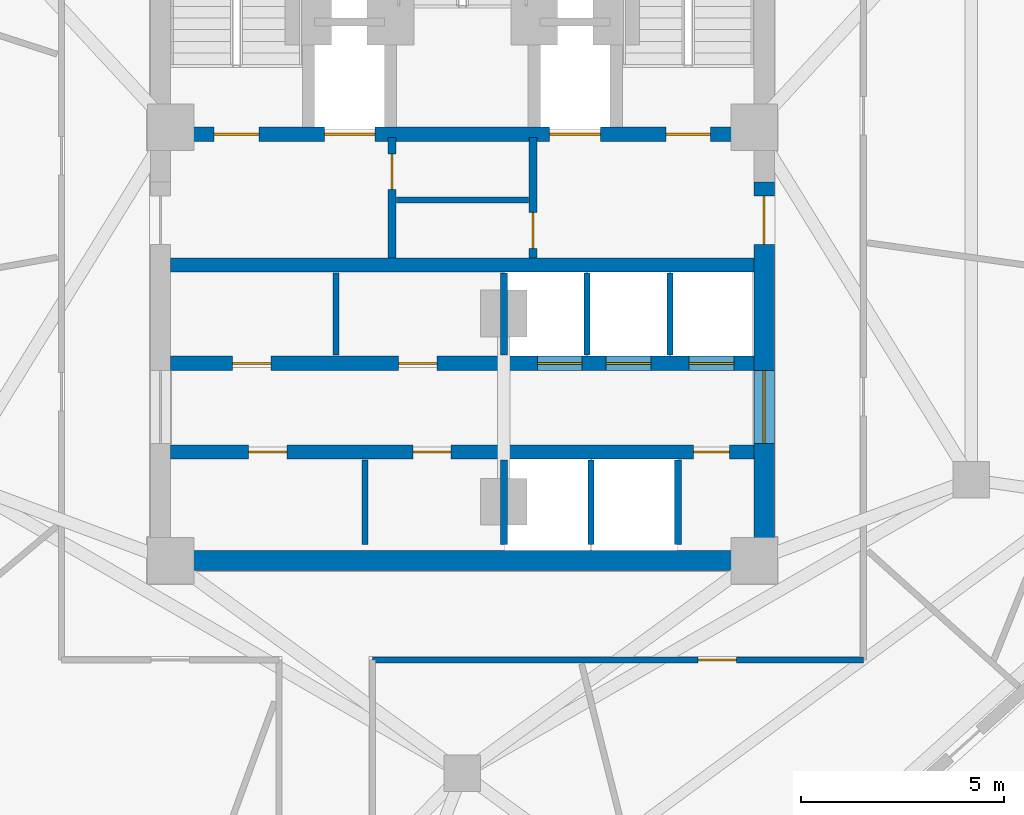
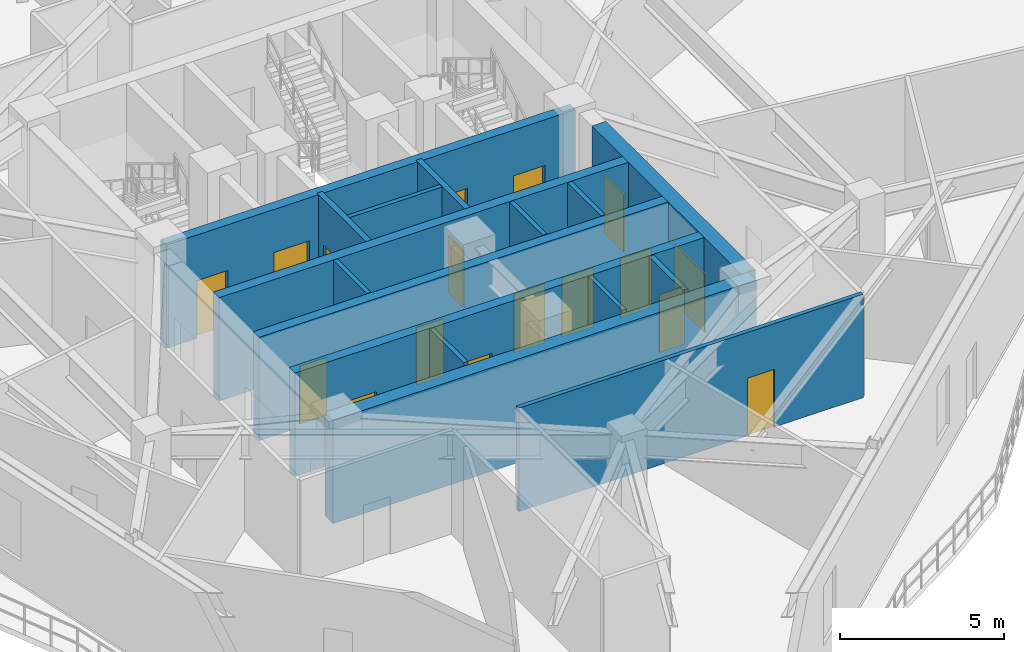
# One storey, part 6 of 12: 18 walls, 17 doors, 17 openings.
"""IFC4 building model written with IfcOpenShell, lengths in metres."""

import ifcopenshell
import ifcopenshell.guid

model = None  # the IFC model being written
_history = None  # IfcOwnerHistory: only IFC2X3 demands one
_inside = {}  # id of a spatial element -> (the spatial element, [elements in it])
_under = {}  # id of a project, library or spatial element -> (it, [spatial elements below it])
_declared = {}  # id of a project -> (the project, [libraries it declares])
_typed = {}  # id of a type object -> (the type object, [elements of that type])
_made_of = {}  # id of a material, layer set ... -> (it, [elements and type objects made of it])


def new_model(schema):
    """Start an empty IFC model of exactly this schema.

    Asked for "IFC4X3", IfcOpenShell would pick the latest addendum, in which some entities
    have other attributes; the version numbers below select the first issue.
    IFC2X3 requires an IfcOwnerHistory on every rooted entity: one is made here for all.
    """
    global model, _history
    if schema == "IFC4X3":
        model = ifcopenshell.file(schema_version=(4, 3, 0, 0))
    else:
        model = ifcopenshell.file(schema=schema)
    _inside.clear()
    _under.clear()
    _declared.clear()
    _typed.clear()
    _made_of.clear()
    _history = None
    if model.schema == "IFC2X3":
        org = make("IfcOrganization", Name="unknown")
        user = make(
            "IfcPersonAndOrganization",
            ThePerson=make("IfcPerson", FamilyName="unknown"),
            TheOrganization=org,
        )
        app = make(
            "IfcApplication",
            ApplicationDeveloper=org,
            Version="unknown",
            ApplicationFullName="unknown",
            ApplicationIdentifier="unknown",
        )
        _history = make(
            "IfcOwnerHistory",
            OwningUser=user,
            OwningApplication=app,
            ChangeAction="ADDED",
            CreationDate=0,
        )
    return model


def make(cls, **values):
    """One entity of the class cls with the attributes given. An attribute that is None is left unset."""
    return model.create_entity(
        cls, **{name: value for name, value in values.items() if value is not None}
    )


def rooted(cls, **values):
    """An entity with a GlobalId (a new one), such as an element, a storey or a relation."""
    return make(cls, GlobalId=ifcopenshell.guid.new(), OwnerHistory=_history, **values)


def si_unit(unit_type, name, prefix=None):
    """IfcSIUnit, for example si_unit("LENGTHUNIT", "METRE", prefix="MILLI")."""
    return make("IfcSIUnit", UnitType=unit_type, Prefix=prefix, Name=name)


def assignment(units):
    """IfcUnitAssignment: the units of a project."""
    return None if units is None else make("IfcUnitAssignment", Units=units)


def point(xyz):
    """IfcCartesianPoint."""
    return None if xyz is None else make("IfcCartesianPoint", Coordinates=xyz)


def direction(xyz):
    """IfcDirection."""
    return None if xyz is None else make("IfcDirection", DirectionRatios=xyz)


def frame(location, z_axis=None, x_axis=None):
    """IfcAxis2Placement3D, a coordinate frame: its origin and axes. An axis left out is left unset."""
    return make(
        "IfcAxis2Placement3D",
        Location=point(location),
        Axis=direction(z_axis),
        RefDirection=direction(x_axis),
    )


def frame_2d(location, x_axis=None):
    """IfcAxis2Placement2D, a coordinate frame in the plane: its origin and x axis."""
    return make(
        "IfcAxis2Placement2D", Location=point(location), RefDirection=direction(x_axis)
    )


def origin():
    """The frame at (0, 0, 0) with its axes left unset."""
    return frame((0.0, 0.0, 0.0))


def place(relative_to, where):
    """IfcLocalPlacement: puts the frame where relative to a parent placement (None: the world)."""
    return make(
        "IfcLocalPlacement", PlacementRelTo=relative_to, RelativePlacement=where
    )


def context(
    kind, dimensions, precision=None, world=None, true_north=None, identifier=None
):
    """IfcGeometricRepresentationContext, for example the 3D "Model" context."""
    return make(
        "IfcGeometricRepresentationContext",
        ContextIdentifier=identifier,
        ContextType=kind,
        CoordinateSpaceDimension=dimensions,
        Precision=precision,
        WorldCoordinateSystem=world,
        TrueNorth=true_north,
    )


def subcontext(parent, identifier, kind, view, scale=None):
    """IfcGeometricRepresentationSubContext, for example "Body" below "Model"."""
    return make(
        "IfcGeometricRepresentationSubContext",
        ContextIdentifier=identifier,
        ContextType=kind,
        ParentContext=parent,
        TargetScale=scale,
        TargetView=view,
    )


def project(units=None, contexts=None):
    """IfcProject with its units and contexts."""
    return rooted(
        "IfcProject",
        Name="project",
        RepresentationContexts=contexts,
        UnitsInContext=assignment(units),
    )


def spatial(cls, under=None, at=None, **own):
    """A site, building, storey or space (cls), placed at a placement, below another one or the project."""
    s = rooted(cls, ObjectPlacement=at, **own)
    if under is not None:
        _under.setdefault(under.id(), (under, []))[1].append(s)
    return s


def profile(cls, at=None, kind="AREA", **sizes):
    """A parametric profile (cls). Its sizes go by their IFC names, for example OverallWidth=200.0."""
    return make(cls, ProfileType=kind, Position=at, **sizes)


def rectangle(**sizes):
    """IfcRectangleProfileDef."""
    return profile("IfcRectangleProfileDef", **sizes)


def extrude(swept, where, along, depth):
    """IfcExtrudedAreaSolid: the profile swept, set in the frame where, extruded along a direction by depth."""
    return make(
        "IfcExtrudedAreaSolid",
        SweptArea=swept,
        Position=where,
        ExtrudedDirection=direction(along),
        Depth=depth,
    )


def shape(context_of_items, identifier, shape_type, items):
    """IfcShapeRepresentation: the items that make up one representation, for example the "Body"."""
    return make(
        "IfcShapeRepresentation",
        ContextOfItems=context_of_items,
        RepresentationIdentifier=identifier,
        RepresentationType=shape_type,
        Items=items,
    )


def material(Name=None, Category=None):
    """IfcMaterial."""
    return make("IfcMaterial", Name=Name, Category=Category)


def layer(
    of_material, thickness, ventilated=None, Name=None, Category=None, Priority=None
):
    """IfcMaterialLayer: one layer of a wall or slab, of a material (None: an air gap)."""
    return make(
        "IfcMaterialLayer",
        Material=of_material,
        LayerThickness=thickness,
        IsVentilated=ventilated,
        Name=Name,
        Category=Category,
        Priority=Priority,
    )


def layer_set(layers, Name=None):
    """IfcMaterialLayerSet."""
    return make("IfcMaterialLayerSet", MaterialLayers=layers, LayerSetName=Name)


def made_of(thing, what):
    """Note that an element or type object is made of a material, layer set ...; save() writes the relation."""
    if what is not None:
        _made_of.setdefault(what.id(), (what, []))[1].append(thing)
    return thing


def type_object(cls, material=None, **own):
    """A type object (cls), such as IfcWallType, which elements share."""
    return made_of(rooted(cls, **own), material)


def element(
    cls,
    number,
    at=None,
    inside=None,
    cuts=None,
    type_object=None,
    material=None,
    context=None,
    identifier="Body",
    shape_type=None,
    held_by="IfcProductDefinitionShape",
    body=None,
    shapes=None,
    **own,
):
    """One element of the class cls, such as IfcWall. Its Tag is "e" and its number.

    at: its placement. inside: the storey or other place that contains it. cuts: it is an
    opening in that element (IfcRelVoidsElement). A single representation is given by context,
    identifier, shape_type and body (its items); several are given by shapes. held_by: the class
    of the entity that holds the representations. save() writes the other relations.
    """
    e = rooted(cls, Tag="e%d" % number, ObjectPlacement=at, **own)
    if body is not None:
        shapes = [shape(context, identifier, shape_type, body)]
    if shapes is not None:
        e.Representation = make(held_by, Representations=shapes)
    if inside is not None:
        _inside.setdefault(inside.id(), (inside, []))[1].append(e)
    if cuts is not None:
        rooted(
            "IfcRelVoidsElement", RelatingBuildingElement=cuts, RelatedOpeningElement=e
        )
    if type_object is not None:
        _typed.setdefault(type_object.id(), (type_object, []))[1].append(e)
    return made_of(e, material)


def fill(opening, filler):
    """IfcRelFillsElement: the door or window that sits in an opening."""
    return rooted(
        "IfcRelFillsElement",
        RelatingOpeningElement=opening,
        RelatedBuildingElement=filler,
    )


def aggregate(whole, parts):
    """IfcRelAggregates: a whole, such as a stair, and the parts it consists of."""
    return rooted("IfcRelAggregates", RelatingObject=whole, RelatedObjects=parts)


def save(model, path):
    """Write the relations noted so far, then the file.

    IfcRelAggregates (storeys below a building ...), IfcRelContainedInSpatialStructure (elements
    in a storey), IfcRelDefinesByType, IfcRelAssociatesMaterial and IfcRelDeclares: one each for
    every whole, place, type object, material and project.
    """
    for whole, parts in _under.values():
        aggregate(whole, parts)
    for where, things in _inside.values():
        rooted(
            "IfcRelContainedInSpatialStructure",
            RelatedElements=things,
            RelatingStructure=where,
        )
    for kind, things in _typed.values():
        rooted("IfcRelDefinesByType", RelatedObjects=things, RelatingType=kind)
    for what, things in _made_of.values():
        rooted("IfcRelAssociatesMaterial", RelatedObjects=things, RelatingMaterial=what)
    for by, libraries in _declared.values():
        rooted("IfcRelDeclares", RelatingContext=by, RelatedDefinitions=libraries)
    model.write(path)


model = new_model("IFC4")

# Units and contexts
model_context = context("Model", 3, precision=1e-05, world=origin(), true_north=direction((0.0, 1.0)))
body_context = subcontext(model_context, "Body", "Model", "MODEL_VIEW")
ifc_project = project(units=[si_unit("LENGTHUNIT", "METRE"), si_unit("AREAUNIT", "SQUARE_METRE"), si_unit("VOLUMEUNIT", "CUBIC_METRE"), si_unit("PLANEANGLEUNIT", "RADIAN"), si_unit("MASSUNIT", "GRAM", prefix="KILO")], contexts=[model_context])

# Site, building, storey
site_placement = place(None, origin())
site = spatial("IfcSite", under=ifc_project, at=site_placement, CompositionType="ELEMENT")
building_placement = place(site_placement, origin())
building = spatial("IfcBuilding", under=site, at=building_placement, Name="Apsidion Concourse Tower", CompositionType="ELEMENT")
storey_placement = place(building_placement, frame((0.0, 0.0, 232.199951171875)))
storey = spatial("IfcBuildingStorey", under=building, at=storey_placement, Name="L54", CompositionType="ELEMENT", Elevation=232.199951171875)

# Walls
ifc_material_1 = material(Name="Gypsum plasterboard partition")
ifc_layer_1 = layer(ifc_material_1, 0.14990234375)
ifc_layer_set_1 = layer_set([ifc_layer_1], Name="Gypsum plasterboard partition")
wall_type_1 = type_object("IfcWallType", Name="WL-INT-PAR-150", PredefinedType="PARTITIONING", material=ifc_layer_set_1)
for number, where, z_axis, x_axis, name in (
    (1, (-3.1201171875, -4.179931640625, 0.0), (0.0, 0.0, 1.0), (0.0, 1.0, 0.0), "L54 Interior Partition WL-L54-B1RV1"),
    (2, (3.074951171875, -4.179931640625, 0.0), (0.0, 0.0, 1.0), (0.0, 1.0, 0.0), "L54 Interior Partition WL-L54-B3DIV-1"),
    (3, (5.125, -4.179931640625, 0.0), (0.0, 0.0, 1.0), (0.0, 1.0, 0.0), "L54 Interior Partition WL-L54-B3DIV-2"),
):
    element("IfcWall", number, at=place(storey_placement, frame(where, z_axis=z_axis, x_axis=x_axis)), inside=storey, type_object=wall_type_1, Name=name, PredefinedType="PARTITIONING", context=body_context, shape_type="SweptSolid", body=[
        extrude(rectangle(XDim=2.030029296875, YDim=0.14990234375, at=frame_2d((1.01513671875, 0.0))), origin(), (0.0, 0.0, 1.0), 3.85009765625),
    ])
for number, where, z_axis, x_axis, name in (
    (4, (-2.39990234375, -8.85009765625, 0.0), (0.0, 0.0, 1.0), (0.0, 1.0, 0.0), "L54 Interior Partition WL-L54-B2RV1"),
    (5, (3.175048828125, -8.85009765625, 0.0), (0.0, 0.0, 1.0), (0.0, 1.0, 0.0), "L54 Interior Partition WL-L54-SHDIV-1"),
):
    element("IfcWall", number, at=place(storey_placement, frame(where, z_axis=z_axis, x_axis=x_axis)), inside=storey, type_object=wall_type_1, Name=name, PredefinedType="PARTITIONING", context=body_context, shape_type="SweptSolid", body=[
        extrude(rectangle(XDim=2.080078125, YDim=0.14990234375, at=frame_2d((1.0400390625, 0.0))), origin(), (0.0, 0.0, 1.0), 3.85009765625),
    ])
wall_1_placement = place(storey_placement, frame((-1.6298828125, -0.35009765625, 0.0), z_axis=(0.0, 0.0, 1.0), x_axis=(1.0, 0.0, 0.0)))
element("IfcWall", 6, at=wall_1_placement, inside=storey, type_object=wall_type_1, Name="L54 Interior Partition WL-L54-K2H", PredefinedType="PARTITIONING", context=body_context, shape_type="SweptSolid", body=[
    extrude(rectangle(XDim=3.259765625, YDim=0.14990234375, at=frame_2d((1.6298828125, 0.0))), origin(), (0.0, 0.0, 1.0), 3.85009765625),
])

# Wall, opening, door
wall_2_placement = place(storey_placement, frame((9.89990234375, -11.699951171875, 0.0), z_axis=(0.0, 0.0, 1.0), x_axis=(-1.0, 0.0, 0.0)))
wall_2 = element("IfcWall", 7, at=wall_2_placement, inside=storey, type_object=wall_type_1, Name="L54 Interior Partition WL-L54-CORR-09", PredefinedType="PARTITIONING", context=body_context, shape_type="SweptSolid", body=[
    extrude(rectangle(XDim=12.119873046875, YDim=0.14990234375, at=frame_2d((6.06005859375, 0.0))), origin(), (0.0, 0.0, 1.0), 3.85009765625),
])
opening_1_placement = place(wall_2_placement, frame((3.133056640625, 0.0, 0.0)))
opening_1 = element("IfcOpeningElement", 8, at=opening_1_placement, cuts=wall_2, Name="Opening D-01R", PredefinedType="OPENING", context=body_context, shape_type="SweptSolid", body=[
    extrude(rectangle(XDim=0.949951171875, YDim=2.14990234375, at=frame_2d((0.47509765625, 1.074951171875))), frame((0.0, 0.0849609375, 0.0), z_axis=(0.0, -1.0, 0.0), x_axis=(1.0, 0.0, 0.0)), (0.0, 0.0, 1.0), 0.169921875),
])
ifc_material_2 = material(Name="Brushed stainless steel 316", Category="steel")
door_type_1 = type_object("IfcDoorType", Name="DR-INT-D01R", OperationType="SINGLE_SWING_RIGHT", PredefinedType="DOOR", material=ifc_material_2)
door_1_placement = place(opening_1_placement, origin())
door_1 = element("IfcDoor", 9, at=door_1_placement, inside=storey, type_object=door_type_1, Name="L54 Corridor Entry Door 04", OperationType="SINGLE_SWING_RIGHT", OverallHeight=2.14990234375, OverallWidth=0.949951171875, PredefinedType="DOOR", context=body_context, shape_type="SweptSolid", body=[
    extrude(rectangle(XDim=0.949951171875, YDim=2.14990234375, at=frame_2d((0.47509765625, 1.074951171875))), frame((0.0, 0.02490234375, 0.0), z_axis=(0.0, -1.0, 0.0), x_axis=(1.0, 0.0, 0.0)), (0.0, 0.0, 1.0), 0.050048828125),
])
fill(opening_1, door_1)

# Walls
ifc_layer_2 = layer(ifc_material_1, 0.179931640625)
ifc_layer_set_2 = layer_set([ifc_layer_2], Name="Gypsum plasterboard partition")
wall_type_2 = type_object("IfcWallType", Name="WL-INT-PAR-180", PredefinedType="PARTITIONING", material=ifc_layer_set_2)
wall_3_placement = place(storey_placement, frame((1.02490234375, -4.179931640625, 0.0), z_axis=(0.0, 0.0, 1.0), x_axis=(0.0, 1.0, 0.0)))
element("IfcWall", 10, at=wall_3_placement, inside=storey, type_object=wall_type_2, Name="L54 Interior Partition WL-L54-B1END", PredefinedType="PARTITIONING", context=body_context, shape_type="SweptSolid", body=[
    extrude(rectangle(XDim=2.030029296875, YDim=0.179931640625, at=frame_2d((1.01513671875, 0.0))), origin(), (0.0, 0.0, 1.0), 2.89794921875),
])
wall_4_placement = place(storey_placement, frame((1.02490234375, -8.85009765625, 0.0), z_axis=(0.0, 0.0, 1.0), x_axis=(0.0, 1.0, 0.0)))
element("IfcWall", 11, at=wall_4_placement, inside=storey, type_object=wall_type_2, Name="L54 Interior Partition WL-L54-B2END", PredefinedType="PARTITIONING", context=body_context, shape_type="SweptSolid", body=[
    extrude(rectangle(XDim=2.080078125, YDim=0.179931640625, at=frame_2d((1.0400390625, 0.0))), origin(), (0.0, 0.0, 1.0), 2.89794921875),
])
wall_5_placement = place(storey_placement, frame((5.324951171875, -8.85009765625, 0.0), z_axis=(0.0, 0.0, 1.0), x_axis=(0.0, 1.0, 0.0)))
element("IfcWall", 12, at=wall_5_placement, inside=storey, type_object=wall_type_2, Name="L54 Interior Partition WL-L54-SHDIV-2", PredefinedType="PARTITIONING", context=body_context, shape_type="SweptSolid", body=[
    extrude(rectangle(XDim=2.080078125, YDim=0.179931640625, at=frame_2d((1.0400390625, 0.0))), origin(), (0.0, 0.0, 1.0), 3.85009765625),
])

# Wall, opening, door
ifc_layer_3 = layer(ifc_material_1, 0.199951171875)
ifc_layer_set_3 = layer_set([ifc_layer_3], Name="Gypsum plasterboard partition")
wall_type_3 = type_object("IfcWallType", Name="WL-INT-PAR-200", PredefinedType="PARTITIONING", material=ifc_layer_set_3)
wall_6_placement = place(storey_placement, frame((-1.739990234375, -1.780029296875, 0.0), z_axis=(0.0, 0.0, 1.0), x_axis=(0.0, 1.0, 0.0)))
wall_6 = element("IfcWall", 13, at=wall_6_placement, inside=storey, type_object=wall_type_3, Name="L54 Interior Partition WL-L54-FF1-E", PredefinedType="PARTITIONING", context=body_context, shape_type="SweptSolid", body=[
    extrude(rectangle(XDim=2.97998046875, YDim=0.199951171875, at=frame_2d((1.489990234375, 0.0))), origin(), (0.0, 0.0, 1.0), 3.85009765625),
])
opening_2_placement = place(wall_6_placement, frame((1.68994140625, 0.0, 0.0)))
opening_2 = element("IfcOpeningElement", 14, at=opening_2_placement, cuts=wall_6, Name="Opening D-05L", PredefinedType="OPENING", context=body_context, shape_type="SweptSolid", body=[
    extrude(rectangle(XDim=0.8798828125, YDim=2.14990234375, at=frame_2d((0.43994140625, 1.074951171875))), frame((0.0, 0.10986328125, 0.0), z_axis=(0.0, -1.0, 0.0), x_axis=(1.0, 0.0, 0.0)), (0.0, 0.0, 1.0), 0.219970703125),
])
door_type_2 = type_object("IfcDoorType", Name="DR-INT-D05L", OperationType="SINGLE_SWING_LEFT", PredefinedType="DOOR", material=ifc_material_2)
door_2_placement = place(opening_2_placement, origin())
door_2 = element("IfcDoor", 15, at=door_2_placement, inside=storey, type_object=door_type_2, Name="L54 Core Staff WC Door", OperationType="SINGLE_SWING_LEFT", OverallHeight=2.14990234375, OverallWidth=0.8798828125, PredefinedType="DOOR", context=body_context, shape_type="SweptSolid", body=[
    extrude(rectangle(XDim=0.8798828125, YDim=2.14990234375, at=frame_2d((0.43994140625, 1.074951171875))), frame((0.0, 0.02490234375, 0.0), z_axis=(0.0, -1.0, 0.0), x_axis=(1.0, 0.0, 0.0)), (0.0, 0.0, 1.0), 0.050048828125),
])
fill(opening_2, door_2)

wall_7_placement = place(storey_placement, frame((1.739990234375, -1.780029296875, 0.0), z_axis=(0.0, 0.0, 1.0), x_axis=(0.0, 1.0, 0.0)))
wall_7 = element("IfcWall", 16, at=wall_7_placement, inside=storey, type_object=wall_type_3, Name="L54 Interior Partition WL-L54-FF2-W", PredefinedType="PARTITIONING", context=body_context, shape_type="SweptSolid", body=[
    extrude(rectangle(XDim=2.97998046875, YDim=0.199951171875, at=frame_2d((1.489990234375, 0.0))), origin(), (0.0, 0.0, 1.0), 3.85009765625),
])
opening_3_placement = place(wall_7_placement, frame((0.239990234375, 0.0, 0.0)))
opening_3 = element("IfcOpeningElement", 17, at=opening_3_placement, cuts=wall_7, Name="Opening D-05R", PredefinedType="OPENING", context=body_context, shape_type="SweptSolid", body=[
    extrude(rectangle(XDim=0.8798828125, YDim=2.14990234375, at=frame_2d((0.43994140625, 1.074951171875))), frame((0.0, 0.10986328125, 0.0), z_axis=(0.0, -1.0, 0.0), x_axis=(1.0, 0.0, 0.0)), (0.0, 0.0, 1.0), 0.219970703125),
])
door_type_3 = type_object("IfcDoorType", Name="DR-INT-D05R", OperationType="SINGLE_SWING_RIGHT", PredefinedType="DOOR", material=ifc_material_2)
door_3_placement = place(opening_3_placement, origin())
door_3 = element("IfcDoor", 18, at=door_3_placement, inside=storey, type_object=door_type_3, Name="L54 Core Supply Store Door", OperationType="SINGLE_SWING_RIGHT", OverallHeight=2.14990234375, OverallWidth=0.8798828125, PredefinedType="DOOR", context=body_context, shape_type="SweptSolid", body=[
    extrude(rectangle(XDim=0.8798828125, YDim=2.14990234375, at=frame_2d((0.43994140625, 1.074951171875))), frame((0.0, 0.02490234375, 0.0), z_axis=(0.0, -1.0, 0.0), x_axis=(1.0, 0.0, 0.0)), (0.0, 0.0, 1.0), 0.050048828125),
])
fill(opening_3, door_3)

# Wall, openings, doors
ifc_material_3 = material(Name="Concrete C50/60", Category="concrete")
ifc_layer_4 = layer(ifc_material_3, 0.35009765625)
ifc_layer_set_4 = layer_set([ifc_layer_4], Name="Concrete C50/60")
wall_type_4 = type_object("IfcWallType", Name="WL-SH-350", PredefinedType="SHEAR", material=ifc_layer_set_4)
wall_8_placement = place(storey_placement, frame((-7.199951171875, 1.27490234375, 0.0), z_axis=(0.0, 0.0, 1.0), x_axis=(1.0, 0.0, 0.0)))
wall_8 = element("IfcWall", 19, at=wall_8_placement, inside=storey, type_object=wall_type_4, Name="L54 Central Core Shear Wall M1", PredefinedType="SHEAR", context=body_context, shape_type="SweptSolid", body=[
    extrude(rectangle(XDim=14.39990234375, YDim=0.35009765625, at=frame_2d((7.199951171875, 0.0))), origin(), (0.0, 0.0, 1.0), 3.85009765625),
])
opening_4_placement = place(wall_8_placement, frame((3.794921875, 0.0, 0.0)))
opening_4 = element("IfcOpeningElement", 20, at=opening_4_placement, cuts=wall_8, Name="Opening LD-FF", PredefinedType="OPENING", context=body_context, shape_type="SweptSolid", body=[
    extrude(rectangle(XDim=1.25, YDim=2.25, at=frame_2d((0.625, 1.125))), frame((0.0, 0.18505859375, 0.0), z_axis=(0.0, -1.0, 0.0), x_axis=(1.0, 0.0, 0.0)), (0.0, 0.0, 1.0), 0.3701171875),
])
opening_5_placement = place(wall_8_placement, frame((9.35498046875, 0.0, 0.0)))
opening_5 = element("IfcOpeningElement", 21, at=opening_5_placement, cuts=wall_8, Name="Opening LD-FF", PredefinedType="OPENING", context=body_context, shape_type="SweptSolid", body=[
    extrude(rectangle(XDim=1.25, YDim=2.25, at=frame_2d((0.625, 1.125))), frame((0.0, 0.18505859375, 0.0), z_axis=(0.0, -1.0, 0.0), x_axis=(1.0, 0.0, 0.0)), (0.0, 0.0, 1.0), 0.3701171875),
])
opening_6_placement = place(wall_8_placement, frame((1.074951171875, 0.0, 0.0)))
opening_6 = element("IfcOpeningElement", 22, at=opening_6_placement, cuts=wall_8, Name="Opening D-STL", PredefinedType="OPENING", context=body_context, shape_type="SweptSolid", body=[
    extrude(rectangle(XDim=1.10009765625, YDim=2.14990234375, at=frame_2d((0.550048828125, 1.074951171875))), frame((0.0, 0.18505859375, 0.0), z_axis=(0.0, -1.0, 0.0), x_axis=(1.0, 0.0, 0.0)), (0.0, 0.0, 1.0), 0.3701171875),
])
opening_7_placement = place(wall_8_placement, frame((12.22509765625, 0.0, 0.0)))
opening_7 = element("IfcOpeningElement", 23, at=opening_7_placement, cuts=wall_8, Name="Opening D-STR", PredefinedType="OPENING", context=body_context, shape_type="SweptSolid", body=[
    extrude(rectangle(XDim=1.10009765625, YDim=2.14990234375, at=frame_2d((0.550048828125, 1.074951171875))), frame((0.0, 0.18505859375, 0.0), z_axis=(0.0, -1.0, 0.0), x_axis=(1.0, 0.0, 0.0)), (0.0, 0.0, 1.0), 0.3701171875),
])
door_type_4 = type_object("IfcDoorType", Name="DR-INT-ST1L", OperationType="SINGLE_SWING_LEFT", PredefinedType="DOOR", material=ifc_material_2)
door_4_placement = place(opening_6_placement, origin())
door_4 = element("IfcDoor", 24, at=door_4_placement, inside=storey, type_object=door_type_4, Name="L54 Core Exit Stair ST1 Door", OperationType="SINGLE_SWING_LEFT", OverallHeight=2.14990234375, OverallWidth=1.10009765625, PredefinedType="DOOR", context=body_context, shape_type="SweptSolid", body=[
    extrude(rectangle(XDim=1.10009765625, YDim=2.14990234375, at=frame_2d((0.550048828125, 1.074951171875))), frame((0.0, 0.02490234375, 0.0), z_axis=(0.0, -1.0, 0.0), x_axis=(1.0, 0.0, 0.0)), (0.0, 0.0, 1.0), 0.050048828125),
])
fill(opening_6, door_4)
door_type_5 = type_object("IfcDoorType", Name="DR-INT-ST1R", OperationType="SINGLE_SWING_RIGHT", PredefinedType="DOOR", material=ifc_material_2)
door_5_placement = place(opening_7_placement, origin())
door_5 = element("IfcDoor", 25, at=door_5_placement, inside=storey, type_object=door_type_5, Name="L54 Core Exit Stair ST2 Door", OperationType="SINGLE_SWING_RIGHT", OverallHeight=2.14990234375, OverallWidth=1.10009765625, PredefinedType="DOOR", context=body_context, shape_type="SweptSolid", body=[
    extrude(rectangle(XDim=1.10009765625, YDim=2.14990234375, at=frame_2d((0.550048828125, 1.074951171875))), frame((0.0, 0.02490234375, 0.0), z_axis=(0.0, -1.0, 0.0), x_axis=(1.0, 0.0, 0.0)), (0.0, 0.0, 1.0), 0.050048828125),
])
fill(opening_7, door_5)
door_type_6 = type_object("IfcDoorType", Name="DR-LD-FSAE", OperationType="DOUBLE_DOOR_SLIDING", PredefinedType="DOOR", material=ifc_material_2)
door_6_placement = place(opening_4_placement, origin())
door_6 = element("IfcDoor", 26, at=door_6_placement, inside=storey, type_object=door_type_6, Name="L54 Lift Landing Door FF1", OperationType="DOUBLE_DOOR_SLIDING", OverallHeight=2.25, OverallWidth=1.25, PredefinedType="DOOR", context=body_context, shape_type="SweptSolid", body=[
    extrude(rectangle(XDim=1.25, YDim=2.25, at=frame_2d((0.625, 1.125))), frame((0.0, 0.02490234375, 0.0), z_axis=(0.0, -1.0, 0.0), x_axis=(1.0, 0.0, 0.0)), (0.0, 0.0, 1.0), 0.050048828125),
])
fill(opening_4, door_6)
door_7_placement = place(opening_5_placement, origin())
door_7 = element("IfcDoor", 27, at=door_7_placement, inside=storey, type_object=door_type_6, Name="L54 Lift Landing Door FF2", OperationType="DOUBLE_DOOR_SLIDING", OverallHeight=2.25, OverallWidth=1.25, PredefinedType="DOOR", context=body_context, shape_type="SweptSolid", body=[
    extrude(rectangle(XDim=1.25, YDim=2.25, at=frame_2d((0.625, 1.125))), frame((0.0, 0.02490234375, 0.0), z_axis=(0.0, -1.0, 0.0), x_axis=(1.0, 0.0, 0.0)), (0.0, 0.0, 1.0), 0.050048828125),
])
fill(opening_5, door_7)

# Wall
wall_9_placement = place(storey_placement, frame((-7.199951171875, -1.949951171875, 0.0), z_axis=(0.0, 0.0, 1.0), x_axis=(1.0, 0.0, 0.0)))
element("IfcWall", 28, at=wall_9_placement, inside=storey, type_object=wall_type_4, Name="L54 Central Core Shear Wall M2", PredefinedType="SHEAR", context=body_context, shape_type="SweptSolid", body=[
    extrude(rectangle(XDim=14.39990234375, YDim=0.35009765625, at=frame_2d((7.199951171875, 0.0))), origin(), (0.0, 0.0, 1.0), 3.85009765625),
])

# Wall, openings, doors
wall_10_placement = place(storey_placement, frame((-7.199951171875, -4.3798828125, 0.0), z_axis=(0.0, 0.0, 1.0), x_axis=(1.0, 0.0, 0.0)))
wall_10 = element("IfcWall", 29, at=wall_10_placement, inside=storey, type_object=wall_type_4, Name="L54 Central Core Shear Wall LA", PredefinedType="SHEAR", context=body_context, shape_type="SweptSolid", body=[
    extrude(rectangle(XDim=14.39990234375, YDim=0.35009765625, at=frame_2d((7.199951171875, 0.0))), origin(), (0.0, 0.0, 1.0), 3.85009765625),
])
opening_8_placement = place(wall_10_placement, frame((9.050048828125, 0.0, 0.0)))
opening_8 = element("IfcOpeningElement", 30, at=opening_8_placement, cuts=wall_10, Name="Opening LD-P1", PredefinedType="OPENING", context=body_context, shape_type="SweptSolid", body=[
    extrude(rectangle(XDim=1.10009765625, YDim=2.199951171875, at=frame_2d((0.550048828125, 1.10009765625))), frame((0.0, 0.18505859375, 0.0), z_axis=(0.0, -1.0, 0.0), x_axis=(1.0, 0.0, 0.0)), (0.0, 0.0, 1.0), 0.3701171875),
])
opening_9_placement = place(wall_10_placement, frame((10.75, 0.0, 0.0)))
opening_9 = element("IfcOpeningElement", 31, at=opening_9_placement, cuts=wall_10, Name="Opening LD-P1", PredefinedType="OPENING", context=body_context, shape_type="SweptSolid", body=[
    extrude(rectangle(XDim=1.10009765625, YDim=2.199951171875, at=frame_2d((0.550048828125, 1.10009765625))), frame((0.0, 0.18505859375, 0.0), z_axis=(0.0, -1.0, 0.0), x_axis=(1.0, 0.0, 0.0)), (0.0, 0.0, 1.0), 0.3701171875),
])
opening_10_placement = place(wall_10_placement, frame((12.800048828125, 0.0, 0.0)))
opening_10 = element("IfcOpeningElement", 32, at=opening_10_placement, cuts=wall_10, Name="Opening LD-P1", PredefinedType="OPENING", context=body_context, shape_type="SweptSolid", body=[
    extrude(rectangle(XDim=1.10009765625, YDim=2.199951171875, at=frame_2d((0.550048828125, 1.10009765625))), frame((0.0, 0.18505859375, 0.0), z_axis=(0.0, -1.0, 0.0), x_axis=(1.0, 0.0, 0.0)), (0.0, 0.0, 1.0), 0.3701171875),
])
opening_11_placement = place(wall_10_placement, frame((1.52490234375, 0.0, 0.0)))
opening_11 = element("IfcOpeningElement", 33, at=opening_11_placement, cuts=wall_10, Name="Opening D-04L", PredefinedType="OPENING", context=body_context, shape_type="SweptSolid", body=[
    extrude(rectangle(XDim=0.949951171875, YDim=2.14990234375, at=frame_2d((0.47509765625, 1.074951171875))), frame((0.0, 0.18505859375, 0.0), z_axis=(0.0, -1.0, 0.0), x_axis=(1.0, 0.0, 0.0)), (0.0, 0.0, 1.0), 0.3701171875),
])
opening_12_placement = place(wall_10_placement, frame((5.625, 0.0, 0.0)))
opening_12 = element("IfcOpeningElement", 34, at=opening_12_placement, cuts=wall_10, Name="Opening D-04R", PredefinedType="OPENING", context=body_context, shape_type="SweptSolid", body=[
    extrude(rectangle(XDim=0.949951171875, YDim=2.14990234375, at=frame_2d((0.47509765625, 1.074951171875))), frame((0.0, 0.18505859375, 0.0), z_axis=(0.0, -1.0, 0.0), x_axis=(1.0, 0.0, 0.0)), (0.0, 0.0, 1.0), 0.3701171875),
])
door_type_7 = type_object("IfcDoorType", Name="DR-INT-D04L", OperationType="SINGLE_SWING_LEFT", PredefinedType="DOOR", material=ifc_material_2)
door_8_placement = place(opening_11_placement, origin())
door_8 = element("IfcDoor", 35, at=door_8_placement, inside=storey, type_object=door_type_7, Name="L54 Tenant Archive Room West Door", OperationType="SINGLE_SWING_LEFT", OverallHeight=2.14990234375, OverallWidth=0.949951171875, PredefinedType="DOOR", context=body_context, shape_type="SweptSolid", body=[
    extrude(rectangle(XDim=0.949951171875, YDim=2.14990234375, at=frame_2d((0.47509765625, 1.074951171875))), frame((0.0, 0.02490234375, 0.0), z_axis=(0.0, -1.0, 0.0), x_axis=(1.0, 0.0, 0.0)), (0.0, 0.0, 1.0), 0.050048828125),
])
fill(opening_11, door_8)
door_type_8 = type_object("IfcDoorType", Name="DR-INT-D04R", OperationType="SINGLE_SWING_RIGHT", PredefinedType="DOOR", material=ifc_material_2)
door_9_placement = place(opening_12_placement, origin())
door_9 = element("IfcDoor", 36, at=door_9_placement, inside=storey, type_object=door_type_8, Name="L54 Core Print and Copy Room Door", OperationType="SINGLE_SWING_RIGHT", OverallHeight=2.14990234375, OverallWidth=0.949951171875, PredefinedType="DOOR", context=body_context, shape_type="SweptSolid", body=[
    extrude(rectangle(XDim=0.949951171875, YDim=2.14990234375, at=frame_2d((0.47509765625, 1.074951171875))), frame((0.0, 0.02490234375, 0.0), z_axis=(0.0, -1.0, 0.0), x_axis=(1.0, 0.0, 0.0)), (0.0, 0.0, 1.0), 0.050048828125),
])
fill(opening_12, door_9)
door_type_9 = type_object("IfcDoorType", Name="DR-LD-PASS", OperationType="DOUBLE_DOOR_SLIDING", PredefinedType="DOOR", material=ifc_material_2)
door_10_placement = place(opening_8_placement, origin())
door_10 = element("IfcDoor", 37, at=door_10_placement, inside=storey, type_object=door_type_9, Name="L54 Lift Landing Door P9", OperationType="DOUBLE_DOOR_SLIDING", OverallHeight=2.199951171875, OverallWidth=1.10009765625, PredefinedType="DOOR", context=body_context, shape_type="SweptSolid", body=[
    extrude(rectangle(XDim=1.10009765625, YDim=2.199951171875, at=frame_2d((0.550048828125, 1.10009765625))), frame((0.0, 0.02490234375, 0.0), z_axis=(0.0, -1.0, 0.0), x_axis=(1.0, 0.0, 0.0)), (0.0, 0.0, 1.0), 0.050048828125),
])
fill(opening_8, door_10)
door_11_placement = place(opening_9_placement, origin())
door_11 = element("IfcDoor", 38, at=door_11_placement, inside=storey, type_object=door_type_9, Name="L54 Lift Landing Door P10", OperationType="DOUBLE_DOOR_SLIDING", OverallHeight=2.199951171875, OverallWidth=1.10009765625, PredefinedType="DOOR", context=body_context, shape_type="SweptSolid", body=[
    extrude(rectangle(XDim=1.10009765625, YDim=2.199951171875, at=frame_2d((0.550048828125, 1.10009765625))), frame((0.0, 0.02490234375, 0.0), z_axis=(0.0, -1.0, 0.0), x_axis=(1.0, 0.0, 0.0)), (0.0, 0.0, 1.0), 0.050048828125),
])
fill(opening_9, door_11)
door_12_placement = place(opening_10_placement, origin())
door_12 = element("IfcDoor", 39, at=door_12_placement, inside=storey, type_object=door_type_9, Name="L54 Lift Landing Door P11", OperationType="DOUBLE_DOOR_SLIDING", OverallHeight=2.199951171875, OverallWidth=1.10009765625, PredefinedType="DOOR", context=body_context, shape_type="SweptSolid", body=[
    extrude(rectangle(XDim=1.10009765625, YDim=2.199951171875, at=frame_2d((0.550048828125, 1.10009765625))), frame((0.0, 0.02490234375, 0.0), z_axis=(0.0, -1.0, 0.0), x_axis=(1.0, 0.0, 0.0)), (0.0, 0.0, 1.0), 0.050048828125),
])
fill(opening_10, door_12)

wall_11_placement = place(storey_placement, frame((-7.199951171875, -6.570068359375, 0.0), z_axis=(0.0, 0.0, 1.0), x_axis=(1.0, 0.0, 0.0)))
wall_11 = element("IfcWall", 40, at=wall_11_placement, inside=storey, type_object=wall_type_4, Name="L54 Central Core Shear Wall LB", PredefinedType="SHEAR", context=body_context, shape_type="SweptSolid", body=[
    extrude(rectangle(XDim=14.39990234375, YDim=0.35009765625, at=frame_2d((7.199951171875, 0.0))), origin(), (0.0, 0.0, 1.0), 3.85009765625),
])
opening_13_placement = place(wall_11_placement, frame((1.925048828125, 0.0, 0.0)))
opening_13 = element("IfcOpeningElement", 41, at=opening_13_placement, cuts=wall_11, Name="Opening D-04R", PredefinedType="OPENING", context=body_context, shape_type="SweptSolid", body=[
    extrude(rectangle(XDim=0.949951171875, YDim=2.14990234375, at=frame_2d((0.47509765625, 1.074951171875))), frame((0.0, 0.18505859375, 0.0), z_axis=(0.0, -1.0, 0.0), x_axis=(1.0, 0.0, 0.0)), (0.0, 0.0, 1.0), 0.3701171875),
])
opening_14_placement = place(wall_11_placement, frame((5.97509765625, 0.0, 0.0)))
opening_14 = element("IfcOpeningElement", 42, at=opening_14_placement, cuts=wall_11, Name="Opening D-04L", PredefinedType="OPENING", context=body_context, shape_type="SweptSolid", body=[
    extrude(rectangle(XDim=0.949951171875, YDim=2.14990234375, at=frame_2d((0.47509765625, 1.074951171875))), frame((0.0, 0.18505859375, 0.0), z_axis=(0.0, -1.0, 0.0), x_axis=(1.0, 0.0, 0.0)), (0.0, 0.0, 1.0), 0.3701171875),
])
opening_15_placement = place(wall_11_placement, frame((12.909912109375, 0.0, 0.0)))
opening_15 = element("IfcOpeningElement", 43, at=opening_15_placement, cuts=wall_11, Name="Opening D-05L", PredefinedType="OPENING", context=body_context, shape_type="SweptSolid", body=[
    extrude(rectangle(XDim=0.8798828125, YDim=2.14990234375, at=frame_2d((0.43994140625, 1.074951171875))), frame((0.0, 0.18505859375, 0.0), z_axis=(0.0, -1.0, 0.0), x_axis=(1.0, 0.0, 0.0)), (0.0, 0.0, 1.0), 0.3701171875),
])
door_13_placement = place(opening_14_placement, origin())
door_13 = element("IfcDoor", 44, at=door_13_placement, inside=storey, type_object=door_type_7, Name="L54 Executive IT Server Room Door", OperationType="SINGLE_SWING_LEFT", OverallHeight=2.14990234375, OverallWidth=0.949951171875, PredefinedType="DOOR", context=body_context, shape_type="SweptSolid", body=[
    extrude(rectangle(XDim=0.949951171875, YDim=2.14990234375, at=frame_2d((0.47509765625, 1.074951171875))), frame((0.0, 0.02490234375, 0.0), z_axis=(0.0, -1.0, 0.0), x_axis=(1.0, 0.0, 0.0)), (0.0, 0.0, 1.0), 0.050048828125),
])
fill(opening_14, door_13)
door_14_placement = place(opening_13_placement, origin())
door_14 = element("IfcDoor", 45, at=door_14_placement, inside=storey, type_object=door_type_8, Name="L54 Executive Catering Pantry Door", OperationType="SINGLE_SWING_RIGHT", OverallHeight=2.14990234375, OverallWidth=0.949951171875, PredefinedType="DOOR", context=body_context, shape_type="SweptSolid", body=[
    extrude(rectangle(XDim=0.949951171875, YDim=2.14990234375, at=frame_2d((0.47509765625, 1.074951171875))), frame((0.0, 0.02490234375, 0.0), z_axis=(0.0, -1.0, 0.0), x_axis=(1.0, 0.0, 0.0)), (0.0, 0.0, 1.0), 0.050048828125),
])
fill(opening_13, door_14)
door_15_placement = place(opening_15_placement, origin())
door_15 = element("IfcDoor", 46, at=door_15_placement, inside=storey, type_object=door_type_2, Name="L54 Cleaners Store Door", OperationType="SINGLE_SWING_LEFT", OverallHeight=2.14990234375, OverallWidth=0.8798828125, PredefinedType="DOOR", context=body_context, shape_type="SweptSolid", body=[
    extrude(rectangle(XDim=0.8798828125, YDim=2.14990234375, at=frame_2d((0.43994140625, 1.074951171875))), frame((0.0, 0.02490234375, 0.0), z_axis=(0.0, -1.0, 0.0), x_axis=(1.0, 0.0, 0.0)), (0.0, 0.0, 1.0), 0.050048828125),
])
fill(opening_15, door_15)

ifc_layer_5 = layer(ifc_material_3, 0.5)
ifc_layer_set_5 = layer_set([ifc_layer_5], Name="Concrete C50/60")
wall_type_5 = type_object("IfcWallType", Name="WL-SH-500", PredefinedType="SHEAR", material=ifc_layer_set_5)
wall_12_placement = place(storey_placement, frame((7.449951171875, -9.0, 0.0), z_axis=(0.0, 0.0, 1.0), x_axis=(0.0, 1.0, 0.0)))
wall_12 = element("IfcWall", 47, at=wall_12_placement, inside=storey, type_object=wall_type_5, Name="L54 Central Core Shear Wall ES", PredefinedType="SHEAR", context=body_context, shape_type="SweptSolid", body=[
    extrude(rectangle(XDim=9.10009765625, YDim=0.5, at=frame_2d((4.550048828125, 0.0))), origin(), (0.0, 0.0, 1.0), 3.85009765625),
])
opening_16_placement = place(wall_12_placement, frame((2.639892578125, 0.0, 0.0)))
opening_16 = element("IfcOpeningElement", 48, at=opening_16_placement, cuts=wall_12, Name="Opening D-06D", PredefinedType="OPENING", context=body_context, shape_type="SweptSolid", body=[
    extrude(rectangle(XDim=1.800048828125, YDim=2.199951171875, at=frame_2d((0.89990234375, 1.10009765625))), frame((0.0, 0.260009765625, 0.0), z_axis=(0.0, -1.0, 0.0), x_axis=(1.0, 0.0, 0.0)), (0.0, 0.0, 1.0), 0.52001953125),
])
opening_17_placement = place(wall_12_placement, frame((7.550048828125, 0.0, 0.0)))
opening_17 = element("IfcOpeningElement", 49, at=opening_17_placement, cuts=wall_12, Name="Opening D-FFR", PredefinedType="OPENING", context=body_context, shape_type="SweptSolid", body=[
    extrude(rectangle(XDim=1.199951171875, YDim=2.14990234375, at=frame_2d((0.60009765625, 1.074951171875))), frame((0.0, 0.260009765625, 0.0), z_axis=(0.0, -1.0, 0.0), x_axis=(1.0, 0.0, 0.0)), (0.0, 0.0, 1.0), 0.52001953125),
])
door_type_10 = type_object("IfcDoorType", Name="DR-INT-D06D", OperationType="DOUBLE_DOOR_SINGLE_SWING", PredefinedType="DOOR", material=ifc_material_2)
door_16_placement = place(opening_16_placement, origin())
door_16 = element("IfcDoor", 50, at=door_16_placement, inside=storey, type_object=door_type_10, Name="L54 Passenger Lift Lobby ES Portal Door", OperationType="DOUBLE_DOOR_SINGLE_SWING", OverallHeight=2.199951171875, OverallWidth=1.800048828125, PredefinedType="DOOR", context=body_context, shape_type="SweptSolid", body=[
    extrude(rectangle(XDim=1.800048828125, YDim=2.199951171875, at=frame_2d((0.89990234375, 1.10009765625))), frame((0.0, 0.02490234375, 0.0), z_axis=(0.0, -1.0, 0.0), x_axis=(1.0, 0.0, 0.0)), (0.0, 0.0, 1.0), 0.050048828125),
])
fill(opening_16, door_16)
door_type_11 = type_object("IfcDoorType", Name="DR-INT-FFR", OperationType="SINGLE_SWING_RIGHT", PredefinedType="DOOR", material=ifc_material_2)
door_17_placement = place(opening_17_placement, origin())
door_17 = element("IfcDoor", 51, at=door_17_placement, inside=storey, type_object=door_type_11, Name="L54 Firefighting Lift Lobby FF2 Door", OperationType="SINGLE_SWING_RIGHT", OverallHeight=2.14990234375, OverallWidth=1.199951171875, PredefinedType="DOOR", context=body_context, shape_type="SweptSolid", body=[
    extrude(rectangle(XDim=1.199951171875, YDim=2.14990234375, at=frame_2d((0.60009765625, 1.074951171875))), frame((0.0, 0.02490234375, 0.0), z_axis=(0.0, -1.0, 0.0), x_axis=(1.0, 0.0, 0.0)), (0.0, 0.0, 1.0), 0.050048828125),
])
fill(opening_17, door_17)

# Wall
wall_13_placement = place(storey_placement, frame((-7.449951171875, -9.25, 0.0), z_axis=(0.0, 0.0, 1.0), x_axis=(1.0, 0.0, 0.0)))
element("IfcWall", 52, at=wall_13_placement, inside=storey, type_object=wall_type_5, Name="L54 Central Core Shear Wall S", PredefinedType="SHEAR", context=body_context, shape_type="SweptSolid", body=[
    extrude(rectangle(XDim=14.89990234375, YDim=0.5, at=frame_2d((7.449951171875, 0.0))), origin(), (0.0, 0.0, 1.0), 3.85009765625),
])

save(model, "model.ifc")
